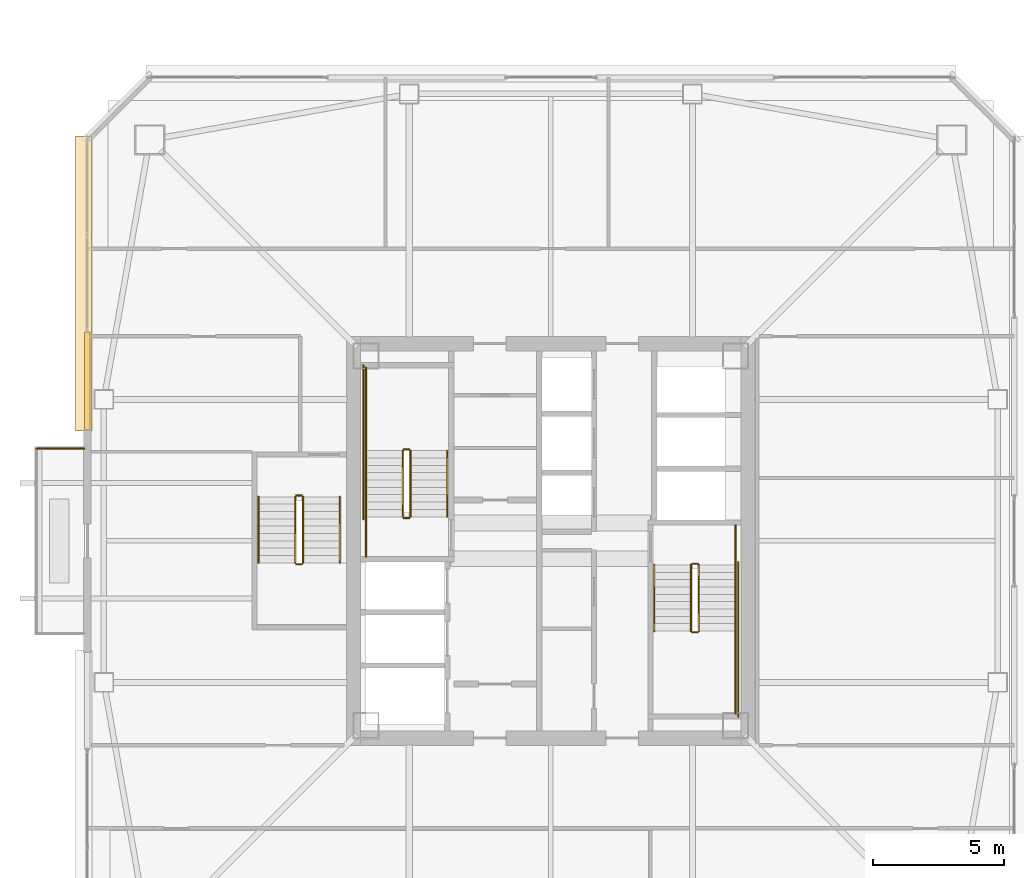
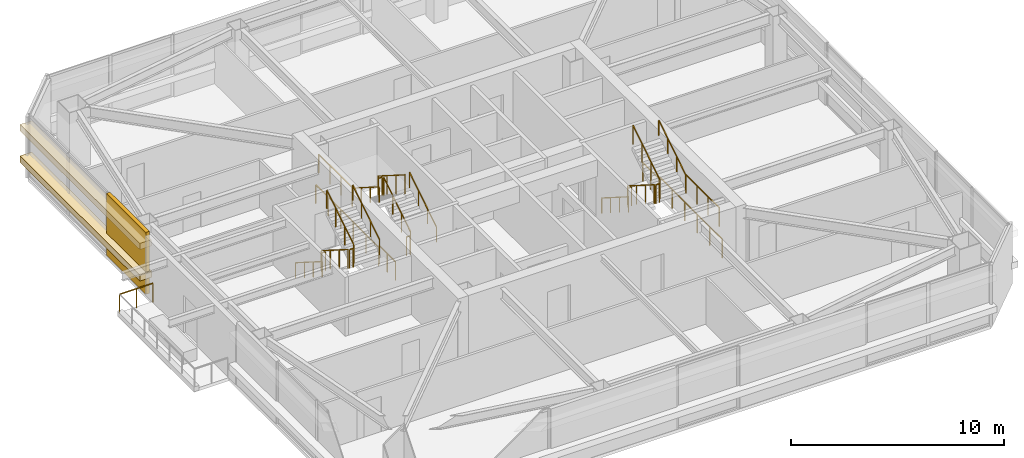
# One storey, part 39 of 43: 25 railings, 3 coverings.
"""IFC4 building model written with IfcOpenShell, lengths in metres."""

from ifc_helpers import new_model, si_unit, direction, frame, origin, origin_2d, place, context, subcontext, project, spatial, rectangle, extrude, material, layer, layer_set, type_object, element, save


model = new_model("IFC4")

# Units and contexts
model_context = context("Model", 3, precision=1e-05, world=origin(), true_north=direction((0.0, 1.0)))
body_context = subcontext(model_context, "Body", "Model", "MODEL_VIEW")
ifc_project = project(units=[si_unit("LENGTHUNIT", "METRE"), si_unit("AREAUNIT", "SQUARE_METRE"), si_unit("VOLUMEUNIT", "CUBIC_METRE"), si_unit("PLANEANGLEUNIT", "RADIAN"), si_unit("MASSUNIT", "GRAM", prefix="KILO")], contexts=[model_context])

# Site, building, storey
site_placement = place(None, origin())
site = spatial("IfcSite", under=ifc_project, at=site_placement, CompositionType="ELEMENT")
building_placement = place(site_placement, origin())
building = spatial("IfcBuilding", under=site, at=building_placement, Name="Tashvorn Skyway Center", CompositionType="ELEMENT")
storey_placement = place(building_placement, frame((0.0, 0.0, 185.39990234375)))
storey = spatial("IfcBuildingStorey", under=building, at=storey_placement, Name="L50", CompositionType="ELEMENT", Elevation=185.39990234375)

# Coverings
ifc_material_1 = material(Name="Precast concrete C40/50", Category="concrete")
ifc_layer_1 = layer(ifc_material_1, 0.199951171875)
ifc_layer_set_1 = layer_set([ifc_layer_1], Name="Precast concrete C40/50")
covering_type_1 = type_object("IfcCoveringType", Name="COV-BRACE-CLAD", PredefinedType="CLADDING", material=ifc_layer_set_1)
covering_placement = place(storey_placement, frame((24.320068359375, 38.10498046875, 0.0), z_axis=(0.0, 0.0, 1.0), x_axis=(0.0, 1.0, 0.0)))
element("IfcCovering", 1, at=covering_placement, inside=storey, type_object=covering_type_1, Name="Tower 1 L50 West Curtain Wall R Mega-Brace Cladding Band 1", PredefinedType="CLADDING", context=body_context, shape_type="SweptSolid", body=[
    extrude(rectangle(XDim=3.7099609375, YDim=0.199951171875, at=origin_2d()), origin(), (0.0, 0.0, 1.0), 3.550048828125),
])
ifc_material_2 = material(Name="Perforated ceramic-coated bronze aluminium solar screen", Category="aluminium")
ifc_layer_2 = layer(ifc_material_2, 0.85009765625)
ifc_layer_set_2 = layer_set([ifc_layer_2], Name="Perforated ceramic-coated bronze aluminium solar screen")
covering_type_2 = type_object("IfcCoveringType", Name="COV-SOLAR-BAND", PredefinedType="CLADDING", material=ifc_layer_set_2)
for number, where, z_axis, x_axis, name in (
    (2, (24.179931640625, 41.81494140625, 0.919921875), (0.0, 0.0, 1.0), (0.0, 1.0, 0.0), "L50 Perforated Ceramic-Metal Solar Screen Louvre Band West 1"),
    (3, (24.179931640625, 41.81494140625, 2.72021484375), (0.0, 0.0, 1.0), (0.0, 1.0, 0.0), "L50 Perforated Ceramic-Metal Solar Screen Louvre Band West 2"),
):
    element("IfcCovering", number, at=place(storey_placement, frame(where, z_axis=z_axis, x_axis=x_axis)), inside=storey, type_object=covering_type_2, Name=name, PredefinedType="CLADDING", context=body_context, shape_type="SweptSolid", body=[
        extrude(rectangle(XDim=11.25, YDim=0.639892578125, at=origin_2d()), origin(), (0.0, 0.0, 1.0), 0.360107421875),
    ])

# Railings
ifc_material_3 = material(Name="Galvanized steel S355", Category="steel")
railing_type_1 = type_object("IfcRailingType", Name="RAIL-GUARD-1120", PredefinedType="GUARDRAIL", material=ifc_material_3)
railing_1_placement = place(storey_placement, frame((22.3798828125, 35.52001953125, 0.0)))
element("IfcRailing", 4, at=railing_1_placement, inside=storey, type_object=railing_type_1, Name="L50 Tower 1 Terrace Guardrail 03", PredefinedType="GUARDRAIL", context=body_context, shape_type="SweptSolid", body=[
    extrude(rectangle(XDim=0.048095703125, YDim=0.048095703125, at=origin_2d()), frame((0.0, 0.0, 1.09619140625), z_axis=(1.0, 0.0, 0.0), x_axis=(0.0, 1.0, 0.0)), (0.0, 0.0, 1.0), 1.820068359375),
    extrude(rectangle(XDim=0.0419921875, YDim=0.0419921875, at=origin_2d()), origin(), (0.0, 0.0, 1.0), 1.072021484375),
    extrude(rectangle(XDim=0.0419921875, YDim=0.0419921875, at=origin_2d()), frame((0.91015625, 0.0, 0.0)), (0.0, 0.0, 1.0), 1.072021484375),
    extrude(rectangle(XDim=0.0419921875, YDim=0.0419921875, at=origin_2d()), frame((1.820068359375, 0.0, 0.0)), (0.0, 0.0, 1.0), 1.072021484375),
])
ifc_material_4 = material(Name="Brushed stainless steel 316", Category="steel")
railing_type_2 = type_object("IfcRailingType", Name="RAIL-HAND-920", PredefinedType="HANDRAIL", material=ifc_material_4)
railing_2_placement = place(storey_placement, frame((38.050048828125, 32.919921875, 0.177490234375)))
element("IfcRailing", 5, at=railing_2_placement, inside=storey, type_object=railing_type_2, Name="L50 ST-T1-1 stair handrail 1", PredefinedType="HANDRAIL", context=body_context, shape_type="SweptSolid", body=[
    extrude(rectangle(XDim=0.048095703125, YDim=0.048095703125, at=origin_2d()), frame((0.0, 0.0, 0.8759765625), z_axis=(0.0, 0.84456994832, 0.535445237532), x_axis=(-1.0, 0.0, 0.0)), (0.0, 0.0, 1.0), 2.98388671875),
    extrude(rectangle(XDim=0.0419921875, YDim=0.0419921875, at=origin_2d()), origin(), (0.0, 0.0, 1.0), 0.851806640625),
    extrude(rectangle(XDim=0.0419921875, YDim=0.0419921875, at=origin_2d()), frame((0.0, 0.840087890625, 0.532470703125)), (0.0, 0.0, 1.0), 0.851806640625),
    extrude(rectangle(XDim=0.0419921875, YDim=0.0419921875, at=origin_2d()), frame((0.0, 1.679931640625, 1.065185546875)), (0.0, 0.0, 1.0), 0.851806640625),
    extrude(rectangle(XDim=0.0419921875, YDim=0.0419921875, at=origin_2d()), frame((0.0, 2.52001953125, 1.59765625)), (0.0, 0.0, 1.0), 0.851806640625),
])
railing_3_placement = place(storey_placement, frame((34.949951171875, 35.43994140625, 1.95263671875)))
element("IfcRailing", 6, at=railing_3_placement, inside=storey, type_object=railing_type_2, Name="L50 ST-T1-1 stair handrail 2", PredefinedType="HANDRAIL", context=body_context, shape_type="SweptSolid", body=[
    extrude(rectangle(XDim=0.048095703125, YDim=0.048095703125, at=origin_2d()), frame((0.0, 0.0, 0.8759765625), z_axis=(0.0, -0.84460694969, 0.535386869969), x_axis=(1.0, 0.0, 0.0)), (0.0, 0.0, 1.0), 2.983642578125),
    extrude(rectangle(XDim=0.0419921875, YDim=0.0419921875, at=origin_2d()), origin(), (0.0, 0.0, 1.0), 0.851806640625),
    extrude(rectangle(XDim=0.0419921875, YDim=0.0419921875, at=origin_2d()), frame((0.0, -0.840087890625, 0.532470703125)), (0.0, 0.0, 1.0), 0.851806640625),
    extrude(rectangle(XDim=0.0419921875, YDim=0.0419921875, at=origin_2d()), frame((0.0, -1.679931640625, 1.06494140625)), (0.0, 0.0, 1.0), 0.851806640625),
    extrude(rectangle(XDim=0.0419921875, YDim=0.0419921875, at=origin_2d()), frame((0.0, -2.52001953125, 1.597412109375)), (0.0, 0.0, 1.0), 0.851806640625),
])
railing_4_placement = place(storey_placement, frame((45.949951171875, 31.080078125, 0.177490234375)))
element("IfcRailing", 7, at=railing_4_placement, inside=storey, type_object=railing_type_2, Name="L50 ST-T1-2 stair handrail 1", PredefinedType="HANDRAIL", context=body_context, shape_type="SweptSolid", body=[
    extrude(rectangle(XDim=0.048095703125, YDim=0.048095703125, at=origin_2d()), frame((0.0, 0.0, 0.8759765625), z_axis=(0.0, -0.84456994832, 0.535445237532), x_axis=(1.0, 0.0, 0.0)), (0.0, 0.0, 1.0), 2.98388671875),
    extrude(rectangle(XDim=0.0419921875, YDim=0.0419921875, at=origin_2d()), origin(), (0.0, 0.0, 1.0), 0.851806640625),
    extrude(rectangle(XDim=0.0419921875, YDim=0.0419921875, at=origin_2d()), frame((0.0, -0.840087890625, 0.532470703125)), (0.0, 0.0, 1.0), 0.851806640625),
    extrude(rectangle(XDim=0.0419921875, YDim=0.0419921875, at=origin_2d()), frame((0.0, -1.679931640625, 1.065185546875)), (0.0, 0.0, 1.0), 0.851806640625),
    extrude(rectangle(XDim=0.0419921875, YDim=0.0419921875, at=origin_2d()), frame((0.0, -2.52001953125, 1.59765625)), (0.0, 0.0, 1.0), 0.851806640625),
])
railing_5_placement = place(storey_placement, frame((49.050048828125, 28.56005859375, 1.95263671875)))
element("IfcRailing", 8, at=railing_5_placement, inside=storey, type_object=railing_type_2, Name="L50 ST-T1-2 stair handrail 2", PredefinedType="HANDRAIL", context=body_context, shape_type="SweptSolid", body=[
    extrude(rectangle(XDim=0.048095703125, YDim=0.048095703125, at=origin_2d()), frame((0.0, 0.0, 0.8759765625), z_axis=(0.0, 0.84460694969, 0.535386869969), x_axis=(-1.0, 0.0, 0.0)), (0.0, 0.0, 1.0), 2.983642578125),
    extrude(rectangle(XDim=0.0419921875, YDim=0.0419921875, at=origin_2d()), origin(), (0.0, 0.0, 1.0), 0.851806640625),
    extrude(rectangle(XDim=0.0419921875, YDim=0.0419921875, at=origin_2d()), frame((0.0, 0.840087890625, 0.532470703125)), (0.0, 0.0, 1.0), 0.851806640625),
    extrude(rectangle(XDim=0.0419921875, YDim=0.0419921875, at=origin_2d()), frame((0.0, 1.679931640625, 1.06494140625)), (0.0, 0.0, 1.0), 0.851806640625),
    extrude(rectangle(XDim=0.0419921875, YDim=0.0419921875, at=origin_2d()), frame((0.0, 2.52001953125, 1.597412109375)), (0.0, 0.0, 1.0), 0.851806640625),
])
railing_6_placement = place(storey_placement, frame((30.85009765625, 33.679931640625, 0.177490234375)))
element("IfcRailing", 9, at=railing_6_placement, inside=storey, type_object=railing_type_2, Name="L50 ST-T1-3 stair handrail 1", PredefinedType="HANDRAIL", context=body_context, shape_type="SweptSolid", body=[
    extrude(rectangle(XDim=0.048095703125, YDim=0.048095703125, at=origin_2d()), frame((0.0, 0.0, 0.8759765625), z_axis=(0.0, -0.84456994832, 0.535445237532), x_axis=(1.0, 0.0, 0.0)), (0.0, 0.0, 1.0), 2.98388671875),
    extrude(rectangle(XDim=0.0419921875, YDim=0.0419921875, at=origin_2d()), origin(), (0.0, 0.0, 1.0), 0.851806640625),
    extrude(rectangle(XDim=0.0419921875, YDim=0.0419921875, at=origin_2d()), frame((0.0, -0.840087890625, 0.532470703125)), (0.0, 0.0, 1.0), 0.851806640625),
    extrude(rectangle(XDim=0.0419921875, YDim=0.0419921875, at=origin_2d()), frame((0.0, -1.679931640625, 1.065185546875)), (0.0, 0.0, 1.0), 0.851806640625),
    extrude(rectangle(XDim=0.0419921875, YDim=0.0419921875, at=origin_2d()), frame((0.0, -2.52001953125, 1.59765625)), (0.0, 0.0, 1.0), 0.851806640625),
])
railing_7_placement = place(storey_placement, frame((33.949951171875, 31.159912109375, 1.95263671875)))
element("IfcRailing", 10, at=railing_7_placement, inside=storey, type_object=railing_type_2, Name="L50 ST-T1-3 stair handrail 2", PredefinedType="HANDRAIL", context=body_context, shape_type="SweptSolid", body=[
    extrude(rectangle(XDim=0.048095703125, YDim=0.048095703125, at=origin_2d()), frame((0.0, 0.0, 0.8759765625), z_axis=(0.0, 0.84460694969, 0.535386869969), x_axis=(-1.0, 0.0, 0.0)), (0.0, 0.0, 1.0), 2.983642578125),
    extrude(rectangle(XDim=0.0419921875, YDim=0.0419921875, at=origin_2d()), origin(), (0.0, 0.0, 1.0), 0.851806640625),
    extrude(rectangle(XDim=0.0419921875, YDim=0.0419921875, at=origin_2d()), frame((0.0, 0.840087890625, 0.532470703125)), (0.0, 0.0, 1.0), 0.851806640625),
    extrude(rectangle(XDim=0.0419921875, YDim=0.0419921875, at=origin_2d()), frame((0.0, 1.679931640625, 1.06494140625)), (0.0, 0.0, 1.0), 0.851806640625),
    extrude(rectangle(XDim=0.0419921875, YDim=0.0419921875, at=origin_2d()), frame((0.0, 2.52001953125, 1.597412109375)), (0.0, 0.0, 1.0), 0.851806640625),
])
ifc_material_5 = material(Name="Painted galvanized steel S355", Category="steel")
railing_type_3 = type_object("IfcRailingType", Name="RAIL-STGUARD-1100", PredefinedType="GUARDRAIL", material=ifc_material_5)
railing_8_placement = place(storey_placement, frame((36.64990234375, 32.919921875, 0.177490234375)))
element("IfcRailing", 11, at=railing_8_placement, inside=storey, type_object=railing_type_3, Name="L50 ST-T1-1 stair guard 1", PredefinedType="GUARDRAIL", context=body_context, shape_type="SweptSolid", body=[
    extrude(rectangle(XDim=0.048095703125, YDim=0.048095703125, at=origin_2d()), frame((0.0, 0.0, 1.076171875), z_axis=(0.0, 0.84456994832, 0.535445237532), x_axis=(-1.0, 0.0, 0.0)), (0.0, 0.0, 1.0), 2.98388671875),
    extrude(rectangle(XDim=0.0419921875, YDim=0.0419921875, at=origin_2d()), origin(), (0.0, 0.0, 1.0), 1.052001953125),
    extrude(rectangle(XDim=0.0419921875, YDim=0.0419921875, at=origin_2d()), frame((0.0, 0.840087890625, 0.532470703125)), (0.0, 0.0, 1.0), 1.052001953125),
    extrude(rectangle(XDim=0.0419921875, YDim=0.0419921875, at=origin_2d()), frame((0.0, 1.679931640625, 1.065185546875)), (0.0, 0.0, 1.0), 1.052001953125),
    extrude(rectangle(XDim=0.0419921875, YDim=0.0419921875, at=origin_2d()), frame((0.0, 2.52001953125, 1.59765625)), (0.0, 0.0, 1.0), 1.052001953125),
])
railing_9_placement = place(storey_placement, frame((36.60009765625, 35.489990234375, 1.775146484375)))
element("IfcRailing", 12, at=railing_9_placement, inside=storey, type_object=railing_type_3, Name="L50 ST-T1-1 stair guard 2", PredefinedType="GUARDRAIL", context=body_context, shape_type="SweptSolid", body=[
    extrude(rectangle(XDim=0.048095703125, YDim=0.048095703125, at=origin_2d()), frame((0.0, 0.0, 1.076171875), z_axis=(-1.0, 0.0, 0.0), x_axis=(0.0, -1.0, 0.0)), (0.0, 0.0, 1.0), 0.2001953125),
    extrude(rectangle(XDim=0.0419921875, YDim=0.0419921875, at=origin_2d()), origin(), (0.0, 0.0, 1.0), 1.052001953125),
    extrude(rectangle(XDim=0.0419921875, YDim=0.0419921875, at=origin_2d()), frame((-0.2001953125, 0.0, 0.0)), (0.0, 0.0, 1.0), 1.052001953125),
])
railing_10_placement = place(storey_placement, frame((34.949951171875, 35.43994140625, 1.775146484375)))
element("IfcRailing", 13, at=railing_10_placement, inside=storey, type_object=railing_type_3, Name="L50 ST-T1-1 stair guard 3", PredefinedType="GUARDRAIL", context=body_context, shape_type="SweptSolid", body=[
    extrude(rectangle(XDim=0.048095703125, YDim=0.048095703125, at=origin_2d()), frame((0.0, 0.0, 1.076171875), z_axis=(0.0, 1.0, 0.0), x_axis=(-1.0, 0.0, 0.0)), (0.0, 0.0, 1.0), 3.16015625),
    extrude(rectangle(XDim=0.0419921875, YDim=0.0419921875, at=origin_2d()), origin(), (0.0, 0.0, 1.0), 1.052001953125),
    extrude(rectangle(XDim=0.0419921875, YDim=0.0419921875, at=origin_2d()), frame((0.0, 1.053466796875, 0.0)), (0.0, 0.0, 1.0), 1.052001953125),
    extrude(rectangle(XDim=0.0419921875, YDim=0.0419921875, at=origin_2d()), frame((0.0, 2.106689453125, 0.0)), (0.0, 0.0, 1.0), 1.052001953125),
    extrude(rectangle(XDim=0.0419921875, YDim=0.0419921875, at=origin_2d()), frame((0.0, 3.16015625, 0.0)), (0.0, 0.0, 1.0), 1.052001953125),
])
railing_11_placement = place(storey_placement, frame((36.35009765625, 35.43994140625, 1.95263671875)))
element("IfcRailing", 14, at=railing_11_placement, inside=storey, type_object=railing_type_3, Name="L50 ST-T1-1 stair guard 4", PredefinedType="GUARDRAIL", context=body_context, shape_type="SweptSolid", body=[
    extrude(rectangle(XDim=0.048095703125, YDim=0.048095703125, at=origin_2d()), frame((0.0, 0.0, 1.076171875), z_axis=(0.0, -0.84460694969, 0.535386869969), x_axis=(1.0, 0.0, 0.0)), (0.0, 0.0, 1.0), 2.983642578125),
    extrude(rectangle(XDim=0.0419921875, YDim=0.0419921875, at=origin_2d()), origin(), (0.0, 0.0, 1.0), 1.052001953125),
    extrude(rectangle(XDim=0.0419921875, YDim=0.0419921875, at=origin_2d()), frame((0.0, -0.840087890625, 0.532470703125)), (0.0, 0.0, 1.0), 1.052001953125),
    extrude(rectangle(XDim=0.0419921875, YDim=0.0419921875, at=origin_2d()), frame((0.0, -1.679931640625, 1.06494140625)), (0.0, 0.0, 1.0), 1.052001953125),
    extrude(rectangle(XDim=0.0419921875, YDim=0.0419921875, at=origin_2d()), frame((0.0, -2.52001953125, 1.597412109375)), (0.0, 0.0, 1.0), 1.052001953125),
])
railing_12_placement = place(storey_placement, frame((36.60009765625, 32.8701171875, 0.0)))
element("IfcRailing", 15, at=railing_12_placement, inside=storey, type_object=railing_type_3, Name="L50 ST-T1-1 stair guard 5", PredefinedType="GUARDRAIL", context=body_context, shape_type="SweptSolid", body=[
    extrude(rectangle(XDim=0.048095703125, YDim=0.048095703125, at=origin_2d()), frame((0.0, 0.0, 1.076171875), z_axis=(-1.0, 0.0, 0.0), x_axis=(0.0, -1.0, 0.0)), (0.0, 0.0, 1.0), 0.2001953125),
    extrude(rectangle(XDim=0.0419921875, YDim=0.0419921875, at=origin_2d()), origin(), (0.0, 0.0, 1.0), 1.052001953125),
    extrude(rectangle(XDim=0.0419921875, YDim=0.0419921875, at=origin_2d()), frame((-0.2001953125, 0.0, 0.0)), (0.0, 0.0, 1.0), 1.052001953125),
])
railing_13_placement = place(storey_placement, frame((34.949951171875, 31.39990234375, 0.0)))
element("IfcRailing", 16, at=railing_13_placement, inside=storey, type_object=railing_type_3, Name="L50 ST-T1-1 stair guard 6", PredefinedType="GUARDRAIL", context=body_context, shape_type="SweptSolid", body=[
    extrude(rectangle(XDim=0.048095703125, YDim=0.048095703125, at=origin_2d()), frame((0.0, 0.0, 1.076171875), z_axis=(0.0, 1.0, 0.0), x_axis=(-1.0, 0.0, 0.0)), (0.0, 0.0, 1.0), 1.52001953125),
    extrude(rectangle(XDim=0.0419921875, YDim=0.0419921875, at=origin_2d()), origin(), (0.0, 0.0, 1.0), 1.052001953125),
    extrude(rectangle(XDim=0.0419921875, YDim=0.0419921875, at=origin_2d()), frame((0.0, 0.760009765625, 0.0)), (0.0, 0.0, 1.0), 1.052001953125),
    extrude(rectangle(XDim=0.0419921875, YDim=0.0419921875, at=origin_2d()), frame((0.0, 1.52001953125, 0.0)), (0.0, 0.0, 1.0), 1.052001953125),
])
railing_14_placement = place(storey_placement, frame((34.85009765625, 32.820068359375, 0.0)))
element("IfcRailing", 17, at=railing_14_placement, inside=storey, type_object=railing_type_3, Name="L50 ST-T1-1 stair guard 7", PredefinedType="GUARDRAIL", context=body_context, shape_type="SweptSolid", body=[
    extrude(rectangle(XDim=0.048095703125, YDim=0.048095703125, at=origin_2d()), frame((0.0, 0.0, 1.076171875), z_axis=(0.0, 1.0, 0.0), x_axis=(-1.0, 0.0, 0.0)), (0.0, 0.0, 1.0), 5.8798828125),
    extrude(rectangle(XDim=0.0419921875, YDim=0.0419921875, at=origin_2d()), origin(), (0.0, 0.0, 1.0), 1.052001953125),
    extrude(rectangle(XDim=0.0419921875, YDim=0.0419921875, at=origin_2d()), frame((0.0, 1.176025390625, 0.0)), (0.0, 0.0, 1.0), 1.052001953125),
    extrude(rectangle(XDim=0.0419921875, YDim=0.0419921875, at=origin_2d()), frame((0.0, 2.35205078125, 0.0)), (0.0, 0.0, 1.0), 1.052001953125),
    extrude(rectangle(XDim=0.0419921875, YDim=0.0419921875, at=origin_2d()), frame((0.0, 3.52783203125, 0.0)), (0.0, 0.0, 1.0), 1.052001953125),
    extrude(rectangle(XDim=0.0419921875, YDim=0.0419921875, at=origin_2d()), frame((0.0, 4.703857421875, 0.0)), (0.0, 0.0, 1.0), 1.052001953125),
    extrude(rectangle(XDim=0.0419921875, YDim=0.0419921875, at=origin_2d()), frame((0.0, 5.8798828125, 0.0)), (0.0, 0.0, 1.0), 1.052001953125),
])
railing_15_placement = place(storey_placement, frame((47.35009765625, 31.080078125, 0.177490234375)))
element("IfcRailing", 18, at=railing_15_placement, inside=storey, type_object=railing_type_3, Name="L50 ST-T1-2 stair guard 1", PredefinedType="GUARDRAIL", context=body_context, shape_type="SweptSolid", body=[
    extrude(rectangle(XDim=0.048095703125, YDim=0.048095703125, at=origin_2d()), frame((0.0, 0.0, 1.076171875), z_axis=(0.0, -0.84456994832, 0.535445237532), x_axis=(1.0, 0.0, 0.0)), (0.0, 0.0, 1.0), 2.98388671875),
    extrude(rectangle(XDim=0.0419921875, YDim=0.0419921875, at=origin_2d()), origin(), (0.0, 0.0, 1.0), 1.052001953125),
    extrude(rectangle(XDim=0.0419921875, YDim=0.0419921875, at=origin_2d()), frame((0.0, -0.840087890625, 0.532470703125)), (0.0, 0.0, 1.0), 1.052001953125),
    extrude(rectangle(XDim=0.0419921875, YDim=0.0419921875, at=origin_2d()), frame((0.0, -1.679931640625, 1.065185546875)), (0.0, 0.0, 1.0), 1.052001953125),
    extrude(rectangle(XDim=0.0419921875, YDim=0.0419921875, at=origin_2d()), frame((0.0, -2.52001953125, 1.59765625)), (0.0, 0.0, 1.0), 1.052001953125),
])
railing_16_placement = place(storey_placement, frame((47.39990234375, 28.510009765625, 1.775146484375)))
element("IfcRailing", 19, at=railing_16_placement, inside=storey, type_object=railing_type_3, Name="L50 ST-T1-2 stair guard 2", PredefinedType="GUARDRAIL", context=body_context, shape_type="SweptSolid", body=[
    extrude(rectangle(XDim=0.048095703125, YDim=0.048095703125, at=origin_2d()), frame((0.0, 0.0, 1.076171875), z_axis=(1.0, 0.0, 0.0), x_axis=(0.0, 1.0, 0.0)), (0.0, 0.0, 1.0), 0.2001953125),
    extrude(rectangle(XDim=0.0419921875, YDim=0.0419921875, at=origin_2d()), origin(), (0.0, 0.0, 1.0), 1.052001953125),
    extrude(rectangle(XDim=0.0419921875, YDim=0.0419921875, at=origin_2d()), frame((0.2001953125, 0.0, 0.0)), (0.0, 0.0, 1.0), 1.052001953125),
])
railing_17_placement = place(storey_placement, frame((49.050048828125, 28.56005859375, 1.775146484375)))
element("IfcRailing", 20, at=railing_17_placement, inside=storey, type_object=railing_type_3, Name="L50 ST-T1-2 stair guard 3", PredefinedType="GUARDRAIL", context=body_context, shape_type="SweptSolid", body=[
    extrude(rectangle(XDim=0.048095703125, YDim=0.048095703125, at=origin_2d()), frame((0.0, 0.0, 1.076171875), z_axis=(0.0, -1.0, 0.0), x_axis=(1.0, 0.0, 0.0)), (0.0, 0.0, 1.0), 3.16015625),
    extrude(rectangle(XDim=0.0419921875, YDim=0.0419921875, at=origin_2d()), origin(), (0.0, 0.0, 1.0), 1.052001953125),
    extrude(rectangle(XDim=0.0419921875, YDim=0.0419921875, at=origin_2d()), frame((0.0, -1.053466796875, 0.0)), (0.0, 0.0, 1.0), 1.052001953125),
    extrude(rectangle(XDim=0.0419921875, YDim=0.0419921875, at=origin_2d()), frame((0.0, -2.106689453125, 0.0)), (0.0, 0.0, 1.0), 1.052001953125),
    extrude(rectangle(XDim=0.0419921875, YDim=0.0419921875, at=origin_2d()), frame((0.0, -3.16015625, 0.0)), (0.0, 0.0, 1.0), 1.052001953125),
])
railing_18_placement = place(storey_placement, frame((47.64990234375, 28.56005859375, 1.95263671875)))
element("IfcRailing", 21, at=railing_18_placement, inside=storey, type_object=railing_type_3, Name="L50 ST-T1-2 stair guard 4", PredefinedType="GUARDRAIL", context=body_context, shape_type="SweptSolid", body=[
    extrude(rectangle(XDim=0.048095703125, YDim=0.048095703125, at=origin_2d()), frame((0.0, 0.0, 1.076171875), z_axis=(0.0, 0.84460694969, 0.535386869969), x_axis=(-1.0, 0.0, 0.0)), (0.0, 0.0, 1.0), 2.983642578125),
    extrude(rectangle(XDim=0.0419921875, YDim=0.0419921875, at=origin_2d()), origin(), (0.0, 0.0, 1.0), 1.052001953125),
    extrude(rectangle(XDim=0.0419921875, YDim=0.0419921875, at=origin_2d()), frame((0.0, 0.840087890625, 0.532470703125)), (0.0, 0.0, 1.0), 1.052001953125),
    extrude(rectangle(XDim=0.0419921875, YDim=0.0419921875, at=origin_2d()), frame((0.0, 1.679931640625, 1.06494140625)), (0.0, 0.0, 1.0), 1.052001953125),
    extrude(rectangle(XDim=0.0419921875, YDim=0.0419921875, at=origin_2d()), frame((0.0, 2.52001953125, 1.597412109375)), (0.0, 0.0, 1.0), 1.052001953125),
])
railing_19_placement = place(storey_placement, frame((47.39990234375, 31.1298828125, 0.0)))
element("IfcRailing", 22, at=railing_19_placement, inside=storey, type_object=railing_type_3, Name="L50 ST-T1-2 stair guard 5", PredefinedType="GUARDRAIL", context=body_context, shape_type="SweptSolid", body=[
    extrude(rectangle(XDim=0.048095703125, YDim=0.048095703125, at=origin_2d()), frame((0.0, 0.0, 1.076171875), z_axis=(1.0, 0.0, 0.0), x_axis=(0.0, 1.0, 0.0)), (0.0, 0.0, 1.0), 0.2001953125),
    extrude(rectangle(XDim=0.0419921875, YDim=0.0419921875, at=origin_2d()), origin(), (0.0, 0.0, 1.0), 1.052001953125),
    extrude(rectangle(XDim=0.0419921875, YDim=0.0419921875, at=origin_2d()), frame((0.2001953125, 0.0, 0.0)), (0.0, 0.0, 1.0), 1.052001953125),
])
railing_20_placement = place(storey_placement, frame((49.050048828125, 32.60009765625, 0.0)))
element("IfcRailing", 23, at=railing_20_placement, inside=storey, type_object=railing_type_3, Name="L50 ST-T1-2 stair guard 6", PredefinedType="GUARDRAIL", context=body_context, shape_type="SweptSolid", body=[
    extrude(rectangle(XDim=0.048095703125, YDim=0.048095703125, at=origin_2d()), frame((0.0, 0.0, 1.076171875), z_axis=(0.0, -1.0, 0.0), x_axis=(1.0, 0.0, 0.0)), (0.0, 0.0, 1.0), 1.52001953125),
    extrude(rectangle(XDim=0.0419921875, YDim=0.0419921875, at=origin_2d()), origin(), (0.0, 0.0, 1.0), 1.052001953125),
    extrude(rectangle(XDim=0.0419921875, YDim=0.0419921875, at=origin_2d()), frame((0.0, -0.760009765625, 0.0)), (0.0, 0.0, 1.0), 1.052001953125),
    extrude(rectangle(XDim=0.0419921875, YDim=0.0419921875, at=origin_2d()), frame((0.0, -1.52001953125, 0.0)), (0.0, 0.0, 1.0), 1.052001953125),
])
railing_21_placement = place(storey_placement, frame((49.14990234375, 31.179931640625, 0.0)))
element("IfcRailing", 24, at=railing_21_placement, inside=storey, type_object=railing_type_3, Name="L50 ST-T1-2 stair guard 7", PredefinedType="GUARDRAIL", context=body_context, shape_type="SweptSolid", body=[
    extrude(rectangle(XDim=0.048095703125, YDim=0.048095703125, at=origin_2d()), frame((0.0, 0.0, 1.076171875), z_axis=(0.0, -1.0, 0.0), x_axis=(1.0, 0.0, 0.0)), (0.0, 0.0, 1.0), 5.8798828125),
    extrude(rectangle(XDim=0.0419921875, YDim=0.0419921875, at=origin_2d()), origin(), (0.0, 0.0, 1.0), 1.052001953125),
    extrude(rectangle(XDim=0.0419921875, YDim=0.0419921875, at=origin_2d()), frame((0.0, -1.176025390625, 0.0)), (0.0, 0.0, 1.0), 1.052001953125),
    extrude(rectangle(XDim=0.0419921875, YDim=0.0419921875, at=origin_2d()), frame((0.0, -2.35205078125, 0.0)), (0.0, 0.0, 1.0), 1.052001953125),
    extrude(rectangle(XDim=0.0419921875, YDim=0.0419921875, at=origin_2d()), frame((0.0, -3.52783203125, 0.0)), (0.0, 0.0, 1.0), 1.052001953125),
    extrude(rectangle(XDim=0.0419921875, YDim=0.0419921875, at=origin_2d()), frame((0.0, -4.703857421875, 0.0)), (0.0, 0.0, 1.0), 1.052001953125),
    extrude(rectangle(XDim=0.0419921875, YDim=0.0419921875, at=origin_2d()), frame((0.0, -5.8798828125, 0.0)), (0.0, 0.0, 1.0), 1.052001953125),
])
railing_22_placement = place(storey_placement, frame((32.25, 33.679931640625, 0.177490234375)))
element("IfcRailing", 25, at=railing_22_placement, inside=storey, type_object=railing_type_3, Name="L50 ST-T1-3 stair guard 1", PredefinedType="GUARDRAIL", context=body_context, shape_type="SweptSolid", body=[
    extrude(rectangle(XDim=0.048095703125, YDim=0.048095703125, at=origin_2d()), frame((0.0, 0.0, 1.076171875), z_axis=(0.0, -0.84456994832, 0.535445237532), x_axis=(1.0, 0.0, 0.0)), (0.0, 0.0, 1.0), 2.98388671875),
    extrude(rectangle(XDim=0.0419921875, YDim=0.0419921875, at=origin_2d()), origin(), (0.0, 0.0, 1.0), 1.052001953125),
    extrude(rectangle(XDim=0.0419921875, YDim=0.0419921875, at=origin_2d()), frame((0.0, -0.840087890625, 0.532470703125)), (0.0, 0.0, 1.0), 1.052001953125),
    extrude(rectangle(XDim=0.0419921875, YDim=0.0419921875, at=origin_2d()), frame((0.0, -1.679931640625, 1.065185546875)), (0.0, 0.0, 1.0), 1.052001953125),
    extrude(rectangle(XDim=0.0419921875, YDim=0.0419921875, at=origin_2d()), frame((0.0, -2.52001953125, 1.59765625)), (0.0, 0.0, 1.0), 1.052001953125),
])
railing_23_placement = place(storey_placement, frame((32.300048828125, 31.110107421875, 1.775146484375)))
element("IfcRailing", 26, at=railing_23_placement, inside=storey, type_object=railing_type_3, Name="L50 ST-T1-3 stair guard 2", PredefinedType="GUARDRAIL", context=body_context, shape_type="SweptSolid", body=[
    extrude(rectangle(XDim=0.048095703125, YDim=0.048095703125, at=origin_2d()), frame((0.0, 0.0, 1.076171875), z_axis=(1.0, 0.0, 0.0), x_axis=(0.0, 1.0, 0.0)), (0.0, 0.0, 1.0), 0.199951171875),
    extrude(rectangle(XDim=0.0419921875, YDim=0.0419921875, at=origin_2d()), origin(), (0.0, 0.0, 1.0), 1.052001953125),
    extrude(rectangle(XDim=0.0419921875, YDim=0.0419921875, at=origin_2d()), frame((0.199951171875, 0.0, 0.0)), (0.0, 0.0, 1.0), 1.052001953125),
])
railing_24_placement = place(storey_placement, frame((32.550048828125, 31.159912109375, 1.95263671875)))
element("IfcRailing", 27, at=railing_24_placement, inside=storey, type_object=railing_type_3, Name="L50 ST-T1-3 stair guard 3", PredefinedType="GUARDRAIL", context=body_context, shape_type="SweptSolid", body=[
    extrude(rectangle(XDim=0.048095703125, YDim=0.048095703125, at=origin_2d()), frame((0.0, 0.0, 1.076171875), z_axis=(0.0, 0.84460694969, 0.535386869969), x_axis=(-1.0, 0.0, 0.0)), (0.0, 0.0, 1.0), 2.983642578125),
    extrude(rectangle(XDim=0.0419921875, YDim=0.0419921875, at=origin_2d()), origin(), (0.0, 0.0, 1.0), 1.052001953125),
    extrude(rectangle(XDim=0.0419921875, YDim=0.0419921875, at=origin_2d()), frame((0.0, 0.840087890625, 0.532470703125)), (0.0, 0.0, 1.0), 1.052001953125),
    extrude(rectangle(XDim=0.0419921875, YDim=0.0419921875, at=origin_2d()), frame((0.0, 1.679931640625, 1.06494140625)), (0.0, 0.0, 1.0), 1.052001953125),
    extrude(rectangle(XDim=0.0419921875, YDim=0.0419921875, at=origin_2d()), frame((0.0, 2.52001953125, 1.597412109375)), (0.0, 0.0, 1.0), 1.052001953125),
])
railing_25_placement = place(storey_placement, frame((32.300048828125, 33.72998046875, 0.0)))
element("IfcRailing", 28, at=railing_25_placement, inside=storey, type_object=railing_type_3, Name="L50 ST-T1-3 stair guard 4", PredefinedType="GUARDRAIL", context=body_context, shape_type="SweptSolid", body=[
    extrude(rectangle(XDim=0.048095703125, YDim=0.048095703125, at=origin_2d()), frame((0.0, 0.0, 1.076171875), z_axis=(1.0, 0.0, 0.0), x_axis=(0.0, 1.0, 0.0)), (0.0, 0.0, 1.0), 0.199951171875),
    extrude(rectangle(XDim=0.0419921875, YDim=0.0419921875, at=origin_2d()), origin(), (0.0, 0.0, 1.0), 1.052001953125),
    extrude(rectangle(XDim=0.0419921875, YDim=0.0419921875, at=origin_2d()), frame((0.199951171875, 0.0, 0.0)), (0.0, 0.0, 1.0), 1.052001953125),
])

save(model, "model.ifc")
